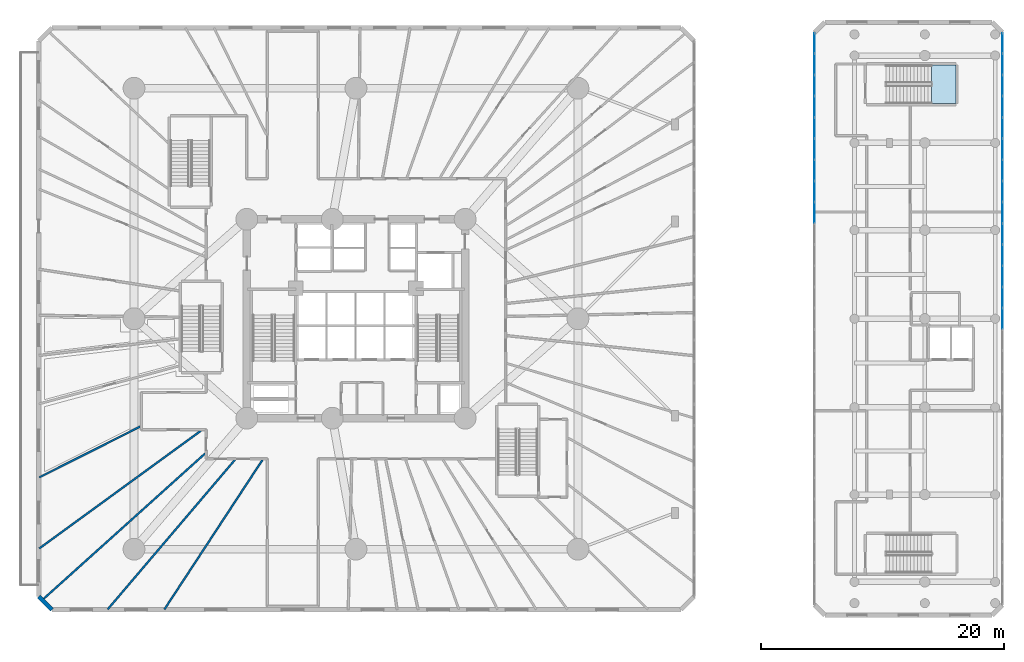
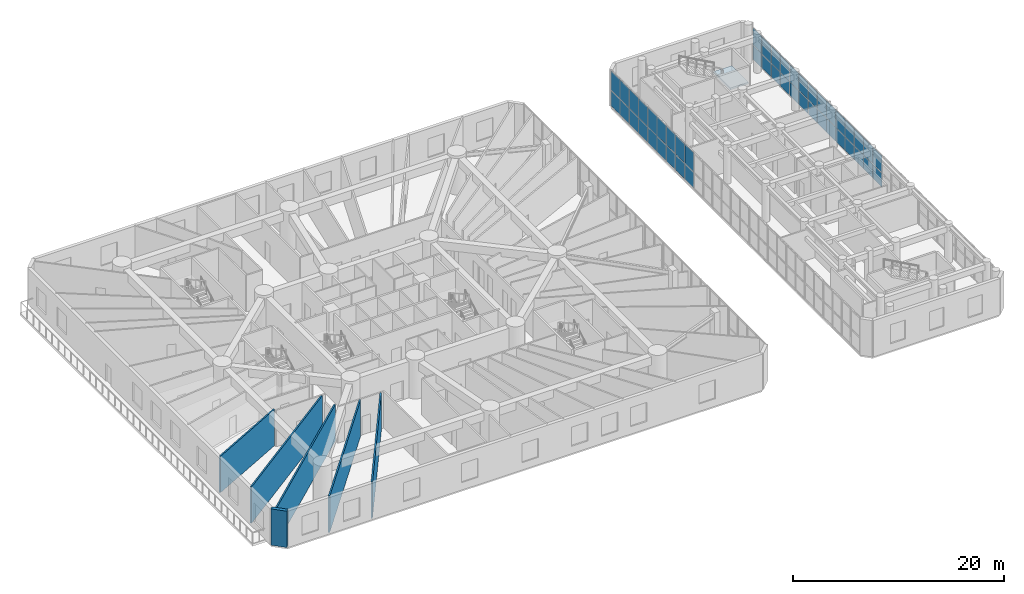
# One storey, part 12 of 26: 46 plates, 6 walls, 1 slab, 3 elements without a shape of their own.
"""IFC4 building model written with IfcOpenShell, lengths in metres."""

from ifc_helpers import new_model, si_unit, direction, frame, frame_2d, origin, origin_with_axes, origin_2d, place, context, subcontext, project, spatial, polyline, rectangle, outline, extrude, source, transform, mapped, material, layer, layer_set, type_object, element, aggregate, save


model = new_model("IFC4")

# Units and contexts
model_context = context("Model", 3, precision=1e-05, world=origin(), true_north=direction((0.0, 1.0)))
body_context = subcontext(model_context, "Body", "Model", "MODEL_VIEW")
ifc_project = project(units=[si_unit("LENGTHUNIT", "METRE"), si_unit("AREAUNIT", "SQUARE_METRE"), si_unit("VOLUMEUNIT", "CUBIC_METRE"), si_unit("PLANEANGLEUNIT", "RADIAN"), si_unit("MASSUNIT", "GRAM", prefix="KILO")], contexts=[model_context])

# Site, building, storey
site_placement = place(None, origin())
site = spatial("IfcSite", under=ifc_project, at=site_placement, CompositionType="ELEMENT")
building_placement = place(site_placement, origin())
building = spatial("IfcBuilding", under=site, at=building_placement, Name="Karkom Vertical University and Central Library", CompositionType="ELEMENT")
storey_placement = place(building_placement, frame((0.0, 0.0, 4.5)))
storey = spatial("IfcBuildingStorey", under=building, at=storey_placement, Name="L01", CompositionType="ELEMENT", Elevation=4.5)

# Stair, slab
ifc_material_1 = material(Name="Concrete C45/55", Category="concrete")
stair_type = type_object("IfcStairType", Name="INT-STR-ST-LIB", PredefinedType="HALF_TURN_STAIR", material=ifc_material_1)
stair_placement = place(storey_placement, origin())
stair = element("IfcStair", 1, at=stair_placement, inside=storey, type_object=stair_type, Name="Level 01 Central Library North Exit Stair LIB-ST2", PredefinedType="HALF_TURN_STAIR")
ifc_layer_1 = layer(ifc_material_1, 0.199951171875)
ifc_layer_set_1 = layer_set([ifc_layer_1], Name="Concrete C45/55")
slab_type = type_object("IfcSlabType", Name="INT-SLB-LANDING", PredefinedType="LANDING", material=ifc_layer_set_1)
slab_placement = place(storey_placement, frame((0.0, 0.0, 2.050048828125)))
slab = element("IfcSlab", 2, at=slab_placement, type_object=slab_type, Name="LIB-ST2 landing 1", PredefinedType="LANDING", context=body_context, shape_type="SweptSolid", body=[
    extrude(outline(polyline([(75.969970703125, 44.25), (77.949951171875, 44.25), (77.949951171875, 47.409912109375), (75.969970703125, 47.409912109375), (75.969970703125, 44.25)])), origin(), (0.0, 0.0, 1.0), 0.199951171875),
])
aggregate(stair, [slab])

# Curtain wall, plates
ifc_material_2 = material(Name="Aluminium curtain-wall framing and low-E IGU", Category="aluminium")
ifc_layer_2 = layer(ifc_material_2, 0.199951171875)
ifc_layer_set_2 = layer_set([ifc_layer_2], Name="Aluminium curtain-wall framing and low-E IGU")
curtain_wall_type = type_object("IfcCurtainWallType", Name="ENV-CW-1", PredefinedType="USERDEFINED", material=ifc_layer_set_2)
curtain_wall_1_placement = place(storey_placement, origin())
curtain_wall_1 = element("IfcCurtainWall", 3, at=curtain_wall_1_placement, inside=storey, type_object=curtain_wall_type, Name="Level 01 CW-1 Curtain Wall Level 01-CW-1-LIB-3", ObjectType="STICK MULLION GLAZING", PredefinedType="USERDEFINED")
ifc_material_3 = material(Name="Solar-control low-E double glazing 28mm", Category="glass")
ifc_layer_3 = layer(ifc_material_3, 0.028076171875)
ifc_layer_set_3 = layer_set([ifc_layer_3], Name="Solar-control low-E double glazing 28mm")
plate_type = type_object("IfcPlateType", Name="ENV-PLT-GLZ-28", PredefinedType="CURTAIN_PANEL", material=ifc_layer_set_3)
shared_shape_1 = source(origin_with_axes(), body_context, "Body", "SweptSolid", [
    extrude(rectangle(XDim=1.64306640625, YDim=0.028076171875, at=origin_2d()), origin(), (0.0, 0.0, 1.0), 1.58251953125),
])
plate_1_placement = place(storey_placement, frame((81.800048828125, 49.20849609375, 0.070068359375), z_axis=(0.0, 0.0, 1.0), x_axis=(0.0, 1.0, 0.0)))
plate_1 = element("IfcPlate", 4, at=plate_1_placement, type_object=plate_type, Name="CW-1 panel 27.1", PredefinedType="CURTAIN_PANEL", context=body_context, shape_type="MappedRepresentation", body=[
    mapped(shared_shape_1, transform((0.0, 0.0, 0.0), scale=1.0)),
])
shared_shape_2 = source(origin_with_axes(), body_context, "Body", "SweptSolid", [
    extrude(rectangle(XDim=1.64306640625, YDim=0.028076171875, at=origin_2d()), origin(), (0.0, 0.0, 1.0), 1.95751953125),
])
plate_2_placement = place(storey_placement, frame((81.800048828125, 49.20849609375, 1.722412109375), z_axis=(0.0, 0.0, 1.0), x_axis=(0.0, 1.0, 0.0)))
plate_2 = element("IfcPlate", 5, at=plate_2_placement, type_object=plate_type, Name="CW-1 panel 27.2", PredefinedType="CURTAIN_PANEL", context=body_context, shape_type="MappedRepresentation", body=[
    mapped(shared_shape_2, transform((0.0, 0.0, 0.0), scale=1.0)),
])
shared_shape_3 = source(origin_with_axes(), body_context, "Body", "SweptSolid", [
    extrude(rectangle(XDim=1.67822265625, YDim=0.028076171875, at=origin_2d()), origin(), (0.0, 0.0, 1.0), 1.58251953125),
])
plate_3_placement = place(storey_placement, frame((81.800048828125, 26.5, 0.070068359375), z_axis=(0.0, 0.0, 1.0), x_axis=(0.0, 1.0, 0.0)))
plate_3 = element("IfcPlate", 6, at=plate_3_placement, type_object=plate_type, Name="CW-1 panel 14.1", PredefinedType="CURTAIN_PANEL", context=body_context, shape_type="MappedRepresentation", body=[
    mapped(shared_shape_3, transform((0.0, 0.0, 0.0), scale=1.0)),
])
plate_4_placement = place(storey_placement, frame((81.800048828125, 28.248046875, 0.070068359375), z_axis=(0.0, 0.0, 1.0), x_axis=(0.0, 1.0, 0.0)))
plate_4 = element("IfcPlate", 7, at=plate_4_placement, type_object=plate_type, Name="CW-1 panel 15.1", PredefinedType="CURTAIN_PANEL", context=body_context, shape_type="MappedRepresentation", body=[
    mapped(shared_shape_3, transform((0.0, 0.0, 0.0), scale=1.0)),
])
plate_5_placement = place(storey_placement, frame((81.800048828125, 29.996337890625, 0.070068359375), z_axis=(0.0, 0.0, 1.0), x_axis=(0.0, 1.0, 0.0)))
plate_5 = element("IfcPlate", 8, at=plate_5_placement, type_object=plate_type, Name="CW-1 panel 16.1", PredefinedType="CURTAIN_PANEL", context=body_context, shape_type="MappedRepresentation", body=[
    mapped(shared_shape_3, transform((0.0, 0.0, 0.0), scale=1.0)),
])
plate_6_placement = place(storey_placement, frame((81.800048828125, 31.744384765625, 0.070068359375), z_axis=(0.0, 0.0, 1.0), x_axis=(0.0, 1.0, 0.0)))
plate_6 = element("IfcPlate", 9, at=plate_6_placement, type_object=plate_type, Name="CW-1 panel 17.1", PredefinedType="CURTAIN_PANEL", context=body_context, shape_type="MappedRepresentation", body=[
    mapped(shared_shape_3, transform((0.0, 0.0, 0.0), scale=1.0)),
])
plate_7_placement = place(storey_placement, frame((81.800048828125, 33.49267578125, 0.070068359375), z_axis=(0.0, 0.0, 1.0), x_axis=(0.0, 1.0, 0.0)))
plate_7 = element("IfcPlate", 10, at=plate_7_placement, type_object=plate_type, Name="CW-1 panel 18.1", PredefinedType="CURTAIN_PANEL", context=body_context, shape_type="MappedRepresentation", body=[
    mapped(shared_shape_3, transform((0.0, 0.0, 0.0), scale=1.0)),
])
plate_8_placement = place(storey_placement, frame((81.800048828125, 35.24072265625, 0.070068359375), z_axis=(0.0, 0.0, 1.0), x_axis=(0.0, 1.0, 0.0)))
plate_8 = element("IfcPlate", 11, at=plate_8_placement, type_object=plate_type, Name="CW-1 panel 19.1", PredefinedType="CURTAIN_PANEL", context=body_context, shape_type="MappedRepresentation", body=[
    mapped(shared_shape_3, transform((0.0, 0.0, 0.0), scale=1.0)),
])
plate_9_placement = place(storey_placement, frame((81.800048828125, 36.98876953125, 0.070068359375), z_axis=(0.0, 0.0, 1.0), x_axis=(0.0, 1.0, 0.0)))
plate_9 = element("IfcPlate", 12, at=plate_9_placement, type_object=plate_type, Name="CW-1 panel 20.1", PredefinedType="CURTAIN_PANEL", context=body_context, shape_type="MappedRepresentation", body=[
    mapped(shared_shape_3, transform((0.0, 0.0, 0.0), scale=1.0)),
])
plate_10_placement = place(storey_placement, frame((81.800048828125, 38.737060546875, 0.070068359375), z_axis=(0.0, 0.0, 1.0), x_axis=(0.0, 1.0, 0.0)))
plate_10 = element("IfcPlate", 13, at=plate_10_placement, type_object=plate_type, Name="CW-1 panel 21.1", PredefinedType="CURTAIN_PANEL", context=body_context, shape_type="MappedRepresentation", body=[
    mapped(shared_shape_3, transform((0.0, 0.0, 0.0), scale=1.0)),
])
plate_11_placement = place(storey_placement, frame((81.800048828125, 40.485107421875, 0.070068359375), z_axis=(0.0, 0.0, 1.0), x_axis=(0.0, 1.0, 0.0)))
plate_11 = element("IfcPlate", 14, at=plate_11_placement, type_object=plate_type, Name="CW-1 panel 22.1", PredefinedType="CURTAIN_PANEL", context=body_context, shape_type="MappedRepresentation", body=[
    mapped(shared_shape_3, transform((0.0, 0.0, 0.0), scale=1.0)),
])
plate_12_placement = place(storey_placement, frame((81.800048828125, 42.2333984375, 0.070068359375), z_axis=(0.0, 0.0, 1.0), x_axis=(0.0, 1.0, 0.0)))
plate_12 = element("IfcPlate", 15, at=plate_12_placement, type_object=plate_type, Name="CW-1 panel 23.1", PredefinedType="CURTAIN_PANEL", context=body_context, shape_type="MappedRepresentation", body=[
    mapped(shared_shape_3, transform((0.0, 0.0, 0.0), scale=1.0)),
])
plate_13_placement = place(storey_placement, frame((81.800048828125, 43.9814453125, 0.070068359375), z_axis=(0.0, 0.0, 1.0), x_axis=(0.0, 1.0, 0.0)))
plate_13 = element("IfcPlate", 16, at=plate_13_placement, type_object=plate_type, Name="CW-1 panel 24.1", PredefinedType="CURTAIN_PANEL", context=body_context, shape_type="MappedRepresentation", body=[
    mapped(shared_shape_3, transform((0.0, 0.0, 0.0), scale=1.0)),
])
plate_14_placement = place(storey_placement, frame((81.800048828125, 45.729736328125, 0.070068359375), z_axis=(0.0, 0.0, 1.0), x_axis=(0.0, 1.0, 0.0)))
plate_14 = element("IfcPlate", 17, at=plate_14_placement, type_object=plate_type, Name="CW-1 panel 25.1", PredefinedType="CURTAIN_PANEL", context=body_context, shape_type="MappedRepresentation", body=[
    mapped(shared_shape_3, transform((0.0, 0.0, 0.0), scale=1.0)),
])
plate_15_placement = place(storey_placement, frame((81.800048828125, 47.477783203125, 0.070068359375), z_axis=(0.0, 0.0, 1.0), x_axis=(0.0, 1.0, 0.0)))
plate_15 = element("IfcPlate", 18, at=plate_15_placement, type_object=plate_type, Name="CW-1 panel 26.1", PredefinedType="CURTAIN_PANEL", context=body_context, shape_type="MappedRepresentation", body=[
    mapped(shared_shape_3, transform((0.0, 0.0, 0.0), scale=1.0)),
])
shared_shape_4 = source(origin_with_axes(), body_context, "Body", "SweptSolid", [
    extrude(rectangle(XDim=1.67822265625, YDim=0.028076171875, at=origin_2d()), origin(), (0.0, 0.0, 1.0), 1.95751953125),
])
plate_16_placement = place(storey_placement, frame((81.800048828125, 26.5, 1.722412109375), z_axis=(0.0, 0.0, 1.0), x_axis=(0.0, 1.0, 0.0)))
plate_16 = element("IfcPlate", 19, at=plate_16_placement, type_object=plate_type, Name="CW-1 panel 14.2", PredefinedType="CURTAIN_PANEL", context=body_context, shape_type="MappedRepresentation", body=[
    mapped(shared_shape_4, transform((0.0, 0.0, 0.0), scale=1.0)),
])
plate_17_placement = place(storey_placement, frame((81.800048828125, 28.248046875, 1.722412109375), z_axis=(0.0, 0.0, 1.0), x_axis=(0.0, 1.0, 0.0)))
plate_17 = element("IfcPlate", 20, at=plate_17_placement, type_object=plate_type, Name="CW-1 panel 15.2", PredefinedType="CURTAIN_PANEL", context=body_context, shape_type="MappedRepresentation", body=[
    mapped(shared_shape_4, transform((0.0, 0.0, 0.0), scale=1.0)),
])
plate_18_placement = place(storey_placement, frame((81.800048828125, 29.996337890625, 1.722412109375), z_axis=(0.0, 0.0, 1.0), x_axis=(0.0, 1.0, 0.0)))
plate_18 = element("IfcPlate", 21, at=plate_18_placement, type_object=plate_type, Name="CW-1 panel 16.2", PredefinedType="CURTAIN_PANEL", context=body_context, shape_type="MappedRepresentation", body=[
    mapped(shared_shape_4, transform((0.0, 0.0, 0.0), scale=1.0)),
])
plate_19_placement = place(storey_placement, frame((81.800048828125, 31.744384765625, 1.722412109375), z_axis=(0.0, 0.0, 1.0), x_axis=(0.0, 1.0, 0.0)))
plate_19 = element("IfcPlate", 22, at=plate_19_placement, type_object=plate_type, Name="CW-1 panel 17.2", PredefinedType="CURTAIN_PANEL", context=body_context, shape_type="MappedRepresentation", body=[
    mapped(shared_shape_4, transform((0.0, 0.0, 0.0), scale=1.0)),
])
plate_20_placement = place(storey_placement, frame((81.800048828125, 33.49267578125, 1.722412109375), z_axis=(0.0, 0.0, 1.0), x_axis=(0.0, 1.0, 0.0)))
plate_20 = element("IfcPlate", 23, at=plate_20_placement, type_object=plate_type, Name="CW-1 panel 18.2", PredefinedType="CURTAIN_PANEL", context=body_context, shape_type="MappedRepresentation", body=[
    mapped(shared_shape_4, transform((0.0, 0.0, 0.0), scale=1.0)),
])
plate_21_placement = place(storey_placement, frame((81.800048828125, 35.24072265625, 1.722412109375), z_axis=(0.0, 0.0, 1.0), x_axis=(0.0, 1.0, 0.0)))
plate_21 = element("IfcPlate", 24, at=plate_21_placement, type_object=plate_type, Name="CW-1 panel 19.2", PredefinedType="CURTAIN_PANEL", context=body_context, shape_type="MappedRepresentation", body=[
    mapped(shared_shape_4, transform((0.0, 0.0, 0.0), scale=1.0)),
])
plate_22_placement = place(storey_placement, frame((81.800048828125, 36.98876953125, 1.722412109375), z_axis=(0.0, 0.0, 1.0), x_axis=(0.0, 1.0, 0.0)))
plate_22 = element("IfcPlate", 25, at=plate_22_placement, type_object=plate_type, Name="CW-1 panel 20.2", PredefinedType="CURTAIN_PANEL", context=body_context, shape_type="MappedRepresentation", body=[
    mapped(shared_shape_4, transform((0.0, 0.0, 0.0), scale=1.0)),
])
plate_23_placement = place(storey_placement, frame((81.800048828125, 38.737060546875, 1.722412109375), z_axis=(0.0, 0.0, 1.0), x_axis=(0.0, 1.0, 0.0)))
plate_23 = element("IfcPlate", 26, at=plate_23_placement, type_object=plate_type, Name="CW-1 panel 21.2", PredefinedType="CURTAIN_PANEL", context=body_context, shape_type="MappedRepresentation", body=[
    mapped(shared_shape_4, transform((0.0, 0.0, 0.0), scale=1.0)),
])
plate_24_placement = place(storey_placement, frame((81.800048828125, 40.485107421875, 1.722412109375), z_axis=(0.0, 0.0, 1.0), x_axis=(0.0, 1.0, 0.0)))
plate_24 = element("IfcPlate", 27, at=plate_24_placement, type_object=plate_type, Name="CW-1 panel 22.2", PredefinedType="CURTAIN_PANEL", context=body_context, shape_type="MappedRepresentation", body=[
    mapped(shared_shape_4, transform((0.0, 0.0, 0.0), scale=1.0)),
])
plate_25_placement = place(storey_placement, frame((81.800048828125, 42.2333984375, 1.722412109375), z_axis=(0.0, 0.0, 1.0), x_axis=(0.0, 1.0, 0.0)))
plate_25 = element("IfcPlate", 28, at=plate_25_placement, type_object=plate_type, Name="CW-1 panel 23.2", PredefinedType="CURTAIN_PANEL", context=body_context, shape_type="MappedRepresentation", body=[
    mapped(shared_shape_4, transform((0.0, 0.0, 0.0), scale=1.0)),
])
plate_26_placement = place(storey_placement, frame((81.800048828125, 43.9814453125, 1.722412109375), z_axis=(0.0, 0.0, 1.0), x_axis=(0.0, 1.0, 0.0)))
plate_26 = element("IfcPlate", 29, at=plate_26_placement, type_object=plate_type, Name="CW-1 panel 24.2", PredefinedType="CURTAIN_PANEL", context=body_context, shape_type="MappedRepresentation", body=[
    mapped(shared_shape_4, transform((0.0, 0.0, 0.0), scale=1.0)),
])
plate_27_placement = place(storey_placement, frame((81.800048828125, 45.729736328125, 1.722412109375), z_axis=(0.0, 0.0, 1.0), x_axis=(0.0, 1.0, 0.0)))
plate_27 = element("IfcPlate", 30, at=plate_27_placement, type_object=plate_type, Name="CW-1 panel 25.2", PredefinedType="CURTAIN_PANEL", context=body_context, shape_type="MappedRepresentation", body=[
    mapped(shared_shape_4, transform((0.0, 0.0, 0.0), scale=1.0)),
])
plate_28_placement = place(storey_placement, frame((81.800048828125, 47.477783203125, 1.722412109375), z_axis=(0.0, 0.0, 1.0), x_axis=(0.0, 1.0, 0.0)))
plate_28 = element("IfcPlate", 31, at=plate_28_placement, type_object=plate_type, Name="CW-1 panel 26.2", PredefinedType="CURTAIN_PANEL", context=body_context, shape_type="MappedRepresentation", body=[
    mapped(shared_shape_4, transform((0.0, 0.0, 0.0), scale=1.0)),
])
aggregate(curtain_wall_1, [plate_3, plate_16, plate_4, plate_17, plate_5, plate_18, plate_6, plate_19, plate_7, plate_20, plate_8, plate_21, plate_9, plate_22, plate_10, plate_23, plate_11, plate_24, plate_12, plate_25, plate_13, plate_26, plate_14, plate_27, plate_15, plate_28, plate_1, plate_2])

curtain_wall_2_placement = place(storey_placement, origin())
curtain_wall_2 = element("IfcCurtainWall", 32, at=curtain_wall_2_placement, inside=storey, type_object=curtain_wall_type, Name="Level 01 CW-1 Curtain Wall Level 01-CW-1-LIB-7", ObjectType="STICK MULLION GLAZING", PredefinedType="USERDEFINED")
shared_shape_5 = source(origin_with_axes(), body_context, "Body", "SweptSolid", [
    extrude(rectangle(XDim=1.64306640625, YDim=0.028076171875, at=origin_2d()), origin(), (0.0, 0.0, 1.0), 1.784912109375),
])
plate_29_placement = place(storey_placement, frame((66.300048828125, 49.20849609375, 0.06982421875), z_axis=(0.0, 0.0, 1.0), x_axis=(0.0, -1.0, 0.0)))
plate_29 = element("IfcPlate", 33, at=plate_29_placement, type_object=plate_type, Name="CW-1 panel 1.1", PredefinedType="CURTAIN_PANEL", context=body_context, shape_type="MappedRepresentation", body=[
    mapped(shared_shape_5, transform((0.0, 0.0, 0.0), scale=1.0)),
])
shared_shape_6 = source(origin_with_axes(), body_context, "Body", "SweptSolid", [
    extrude(rectangle(XDim=1.64306640625, YDim=0.028076171875, at=origin_2d()), origin(), (0.0, 0.0, 1.0), 2.205078125),
])
plate_30_placement = place(storey_placement, frame((66.300048828125, 49.20849609375, 1.925048828125), z_axis=(0.0, 0.0, 1.0), x_axis=(0.0, -1.0, 0.0)))
plate_30 = element("IfcPlate", 34, at=plate_30_placement, type_object=plate_type, Name="CW-1 panel 1.2", PredefinedType="CURTAIN_PANEL", context=body_context, shape_type="MappedRepresentation", body=[
    mapped(shared_shape_6, transform((0.0, 0.0, 0.0), scale=1.0)),
])
shared_shape_7 = source(origin_with_axes(), body_context, "Body", "SweptSolid", [
    extrude(rectangle(XDim=1.67822265625, YDim=0.028076171875, at=origin_2d()), origin(), (0.0, 0.0, 1.0), 1.784912109375),
])
plate_31_placement = place(storey_placement, frame((66.300048828125, 47.477783203125, 0.06982421875), z_axis=(0.0, 0.0, 1.0), x_axis=(0.0, -1.0, 0.0)))
plate_31 = element("IfcPlate", 35, at=plate_31_placement, type_object=plate_type, Name="CW-1 panel 2.1", PredefinedType="CURTAIN_PANEL", context=body_context, shape_type="MappedRepresentation", body=[
    mapped(shared_shape_7, transform((0.0, 0.0, 0.0), scale=1.0)),
])
plate_32_placement = place(storey_placement, frame((66.300048828125, 45.729736328125, 0.06982421875), z_axis=(0.0, 0.0, 1.0), x_axis=(0.0, -1.0, 0.0)))
plate_32 = element("IfcPlate", 36, at=plate_32_placement, type_object=plate_type, Name="CW-1 panel 3.1", PredefinedType="CURTAIN_PANEL", context=body_context, shape_type="MappedRepresentation", body=[
    mapped(shared_shape_7, transform((0.0, 0.0, 0.0), scale=1.0)),
])
plate_33_placement = place(storey_placement, frame((66.300048828125, 43.9814453125, 0.06982421875), z_axis=(0.0, 0.0, 1.0), x_axis=(0.0, -1.0, 0.0)))
plate_33 = element("IfcPlate", 37, at=plate_33_placement, type_object=plate_type, Name="CW-1 panel 4.1", PredefinedType="CURTAIN_PANEL", context=body_context, shape_type="MappedRepresentation", body=[
    mapped(shared_shape_7, transform((0.0, 0.0, 0.0), scale=1.0)),
])
plate_34_placement = place(storey_placement, frame((66.300048828125, 42.2333984375, 0.06982421875), z_axis=(0.0, 0.0, 1.0), x_axis=(0.0, -1.0, 0.0)))
plate_34 = element("IfcPlate", 38, at=plate_34_placement, type_object=plate_type, Name="CW-1 panel 5.1", PredefinedType="CURTAIN_PANEL", context=body_context, shape_type="MappedRepresentation", body=[
    mapped(shared_shape_7, transform((0.0, 0.0, 0.0), scale=1.0)),
])
plate_35_placement = place(storey_placement, frame((66.300048828125, 40.485107421875, 0.06982421875), z_axis=(0.0, 0.0, 1.0), x_axis=(0.0, -1.0, 0.0)))
plate_35 = element("IfcPlate", 39, at=plate_35_placement, type_object=plate_type, Name="CW-1 panel 6.1", PredefinedType="CURTAIN_PANEL", context=body_context, shape_type="MappedRepresentation", body=[
    mapped(shared_shape_7, transform((0.0, 0.0, 0.0), scale=1.0)),
])
plate_36_placement = place(storey_placement, frame((66.300048828125, 38.737060546875, 0.06982421875), z_axis=(0.0, 0.0, 1.0), x_axis=(0.0, -1.0, 0.0)))
plate_36 = element("IfcPlate", 40, at=plate_36_placement, type_object=plate_type, Name="CW-1 panel 7.1", PredefinedType="CURTAIN_PANEL", context=body_context, shape_type="MappedRepresentation", body=[
    mapped(shared_shape_7, transform((0.0, 0.0, 0.0), scale=1.0)),
])
plate_37_placement = place(storey_placement, frame((66.300048828125, 36.98876953125, 0.06982421875), z_axis=(0.0, 0.0, 1.0), x_axis=(0.0, -1.0, 0.0)))
plate_37 = element("IfcPlate", 41, at=plate_37_placement, type_object=plate_type, Name="CW-1 panel 8.1", PredefinedType="CURTAIN_PANEL", context=body_context, shape_type="MappedRepresentation", body=[
    mapped(shared_shape_7, transform((0.0, 0.0, 0.0), scale=1.0)),
])
plate_38_placement = place(storey_placement, frame((66.300048828125, 35.24072265625, 0.06982421875), z_axis=(0.0, 0.0, 1.0), x_axis=(0.0, -1.0, 0.0)))
plate_38 = element("IfcPlate", 42, at=plate_38_placement, type_object=plate_type, Name="CW-1 panel 9.1", PredefinedType="CURTAIN_PANEL", context=body_context, shape_type="MappedRepresentation", body=[
    mapped(shared_shape_7, transform((0.0, 0.0, 0.0), scale=1.0)),
])
shared_shape_8 = source(origin_with_axes(), body_context, "Body", "SweptSolid", [
    extrude(rectangle(XDim=1.67822265625, YDim=0.028076171875, at=origin_2d()), origin(), (0.0, 0.0, 1.0), 2.205078125),
])
plate_39_placement = place(storey_placement, frame((66.300048828125, 47.477783203125, 1.925048828125), z_axis=(0.0, 0.0, 1.0), x_axis=(0.0, -1.0, 0.0)))
plate_39 = element("IfcPlate", 43, at=plate_39_placement, type_object=plate_type, Name="CW-1 panel 2.2", PredefinedType="CURTAIN_PANEL", context=body_context, shape_type="MappedRepresentation", body=[
    mapped(shared_shape_8, transform((0.0, 0.0, 0.0), scale=1.0)),
])
plate_40_placement = place(storey_placement, frame((66.300048828125, 45.729736328125, 1.925048828125), z_axis=(0.0, 0.0, 1.0), x_axis=(0.0, -1.0, 0.0)))
plate_40 = element("IfcPlate", 44, at=plate_40_placement, type_object=plate_type, Name="CW-1 panel 3.2", PredefinedType="CURTAIN_PANEL", context=body_context, shape_type="MappedRepresentation", body=[
    mapped(shared_shape_8, transform((0.0, 0.0, 0.0), scale=1.0)),
])
plate_41_placement = place(storey_placement, frame((66.300048828125, 43.9814453125, 1.925048828125), z_axis=(0.0, 0.0, 1.0), x_axis=(0.0, -1.0, 0.0)))
plate_41 = element("IfcPlate", 45, at=plate_41_placement, type_object=plate_type, Name="CW-1 panel 4.2", PredefinedType="CURTAIN_PANEL", context=body_context, shape_type="MappedRepresentation", body=[
    mapped(shared_shape_8, transform((0.0, 0.0, 0.0), scale=1.0)),
])
plate_42_placement = place(storey_placement, frame((66.300048828125, 42.2333984375, 1.925048828125), z_axis=(0.0, 0.0, 1.0), x_axis=(0.0, -1.0, 0.0)))
plate_42 = element("IfcPlate", 46, at=plate_42_placement, type_object=plate_type, Name="CW-1 panel 5.2", PredefinedType="CURTAIN_PANEL", context=body_context, shape_type="MappedRepresentation", body=[
    mapped(shared_shape_8, transform((0.0, 0.0, 0.0), scale=1.0)),
])
plate_43_placement = place(storey_placement, frame((66.300048828125, 40.485107421875, 1.925048828125), z_axis=(0.0, 0.0, 1.0), x_axis=(0.0, -1.0, 0.0)))
plate_43 = element("IfcPlate", 47, at=plate_43_placement, type_object=plate_type, Name="CW-1 panel 6.2", PredefinedType="CURTAIN_PANEL", context=body_context, shape_type="MappedRepresentation", body=[
    mapped(shared_shape_8, transform((0.0, 0.0, 0.0), scale=1.0)),
])
plate_44_placement = place(storey_placement, frame((66.300048828125, 38.737060546875, 1.925048828125), z_axis=(0.0, 0.0, 1.0), x_axis=(0.0, -1.0, 0.0)))
plate_44 = element("IfcPlate", 48, at=plate_44_placement, type_object=plate_type, Name="CW-1 panel 7.2", PredefinedType="CURTAIN_PANEL", context=body_context, shape_type="MappedRepresentation", body=[
    mapped(shared_shape_8, transform((0.0, 0.0, 0.0), scale=1.0)),
])
plate_45_placement = place(storey_placement, frame((66.300048828125, 36.98876953125, 1.925048828125), z_axis=(0.0, 0.0, 1.0), x_axis=(0.0, -1.0, 0.0)))
plate_45 = element("IfcPlate", 49, at=plate_45_placement, type_object=plate_type, Name="CW-1 panel 8.2", PredefinedType="CURTAIN_PANEL", context=body_context, shape_type="MappedRepresentation", body=[
    mapped(shared_shape_8, transform((0.0, 0.0, 0.0), scale=1.0)),
])
plate_46_placement = place(storey_placement, frame((66.300048828125, 35.24072265625, 1.925048828125), z_axis=(0.0, 0.0, 1.0), x_axis=(0.0, -1.0, 0.0)))
plate_46 = element("IfcPlate", 50, at=plate_46_placement, type_object=plate_type, Name="CW-1 panel 9.2", PredefinedType="CURTAIN_PANEL", context=body_context, shape_type="MappedRepresentation", body=[
    mapped(shared_shape_8, transform((0.0, 0.0, 0.0), scale=1.0)),
])
aggregate(curtain_wall_2, [plate_29, plate_30, plate_31, plate_39, plate_32, plate_40, plate_33, plate_41, plate_34, plate_42, plate_35, plate_43, plate_36, plate_44, plate_37, plate_45, plate_38, plate_46])

# Walls
ifc_material_4 = material(Name="Brick masonry 360mm insulated cavity", Category="masonry")
ifc_layer_4 = layer(ifc_material_4, 0.360107421875)
ifc_layer_set_4 = layer_set([ifc_layer_4], Name="Brick masonry 360mm insulated cavity")
wall_type_1 = type_object("IfcWallType", Name="ENV-WL-BRK-360", PredefinedType="SOLIDWALL", material=ifc_layer_set_4)
wall_1_placement = place(storey_placement, frame((2.35009765625, 3.60009765625, 0.0), z_axis=(0.0, 0.0, 1.0), x_axis=(0.707028305322, -0.707185248342, 0.0)))
element("IfcWall", 51, at=wall_1_placement, inside=storey, type_object=wall_type_1, Name="Level 01 POD Terracotta Brick Facade Wall 08", PredefinedType="SOLIDWALL", context=body_context, shape_type="SweptSolid", body=[
    extrude(rectangle(XDim=1.5556640625, YDim=0.360107421875, at=frame_2d((0.77783203125, 0.0))), origin(), (0.0, 0.0, 1.0), 4.199951171875),
])
ifc_material_5 = material(Name="Insulated metal-stud drywall 160mm", Category="gypsum")
ifc_layer_5 = layer(ifc_material_5, 0.159912109375)
ifc_layer_set_5 = layer_set([ifc_layer_5], Name="Insulated metal-stud drywall 160mm")
wall_type_2 = type_object("IfcWallType", Name="INT-WL-COR-160", PredefinedType="PARTITIONING", material=ifc_layer_set_5)
wall_2_placement = place(storey_placement, frame((16.068115234375, 15.394775390625, 0.0), z_axis=(0.0, 0.0, 1.0), x_axis=(-0.743380945554, -0.668868275363, 0.0)))
element("IfcWall", 52, at=wall_2_placement, inside=storey, type_object=wall_type_2, Name="Level 01 Interior Partition Wall Level 01-PODW-05-06-1", PredefinedType="PARTITIONING", context=body_context, shape_type="SweptSolid", body=[
    extrude(rectangle(XDim=18.040283203125, YDim=0.159912109375, at=frame_2d((9.02001953125, 0.0))), origin(), (0.0, 0.0, 1.0), 4.199951171875),
])
wall_3_placement = place(storey_placement, frame((15.72021484375, 17.26806640625, 0.0), z_axis=(0.0, 0.0, 1.0), x_axis=(-0.808377474391, -0.588664470557, 0.0)))
element("IfcWall", 53, at=wall_3_placement, inside=storey, type_object=wall_type_2, Name="Level 01 Interior Partition Wall Level 01-PODW-04-05-1", PredefinedType="PARTITIONING", context=body_context, shape_type="SweptSolid", body=[
    extrude(rectangle(XDim=16.4931640625, YDim=0.159912109375, at=frame_2d((8.24658203125, 0.0))), origin(), (0.0, 0.0, 1.0), 4.199951171875),
])
wall_4_placement = place(storey_placement, frame((18.521240234375, 14.867919921875, 0.0), z_axis=(0.0, 0.0, 1.0), x_axis=(-0.648138169465, -0.76152275953, 0.0)))
element("IfcWall", 54, at=wall_4_placement, inside=storey, type_object=wall_type_2, Name="Level 01 Interior Partition Wall Level 01-PODW-06-07-1", PredefinedType="PARTITIONING", context=body_context, shape_type="SweptSolid", body=[
    extrude(rectangle(XDim=16.187744140625, YDim=0.159912109375, at=frame_2d((8.09375, 0.0))), origin(), (0.0, 0.0, 1.0), 4.199951171875),
])
wall_5_placement = place(storey_placement, frame((20.795654296875, 14.867919921875, 0.0), z_axis=(0.0, 0.0, 1.0), x_axis=(-0.548619925722, -0.836071873167, 0.0)))
element("IfcWall", 55, at=wall_5_placement, inside=storey, type_object=wall_type_2, Name="Level 01 Interior Partition Wall Level 01-PODW-07-08-1", PredefinedType="PARTITIONING", context=body_context, shape_type="SweptSolid", body=[
    extrude(rectangle(XDim=14.750244140625, YDim=0.159912109375, at=frame_2d((7.375, 0.0))), origin(), (0.0, 0.0, 1.0), 4.199951171875),
])
wall_6_placement = place(storey_placement, frame((10.718017578125, 17.613525390625, 0.0), z_axis=(0.0, 0.0, 1.0), x_axis=(-0.893173330912, -0.449712575927, 0.0)))
element("IfcWall", 56, at=wall_6_placement, inside=storey, type_object=wall_type_2, Name="Level 01 Interior Partition Wall Level 01-PODW-03-04-1", PredefinedType="PARTITIONING", context=body_context, shape_type="SweptSolid", body=[
    extrude(rectangle(XDim=9.333251953125, YDim=0.159912109375, at=frame_2d((4.66650390625, 0.0))), origin(), (0.0, 0.0, 1.0), 4.199951171875),
])

save(model, "model.ifc")
